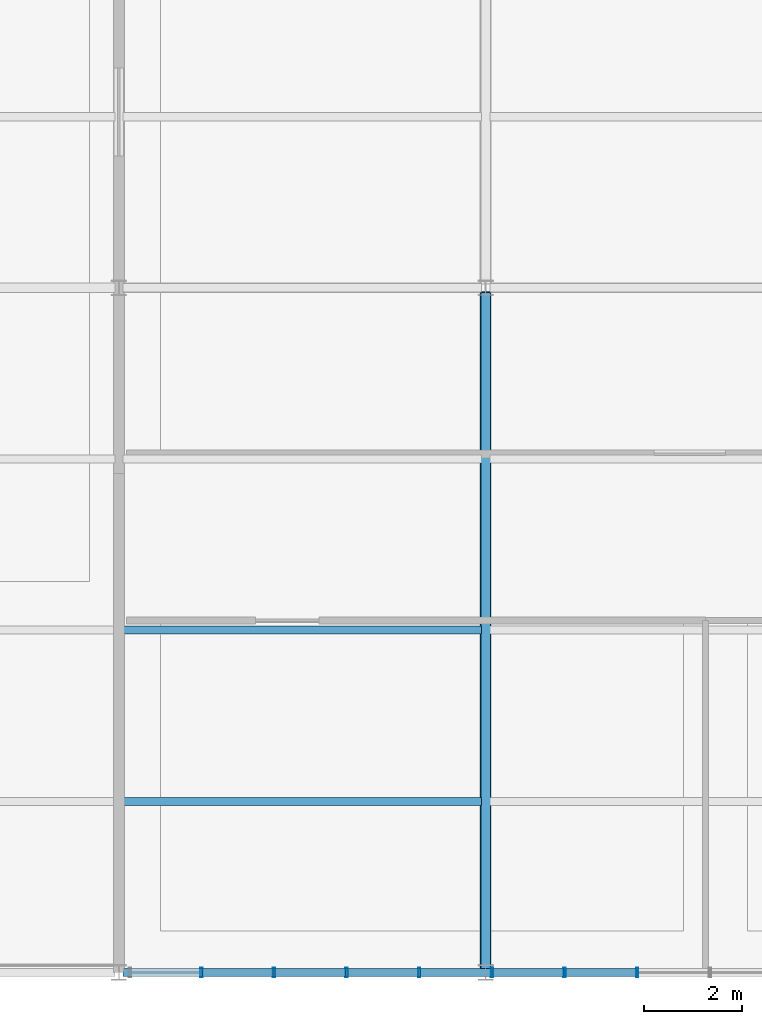
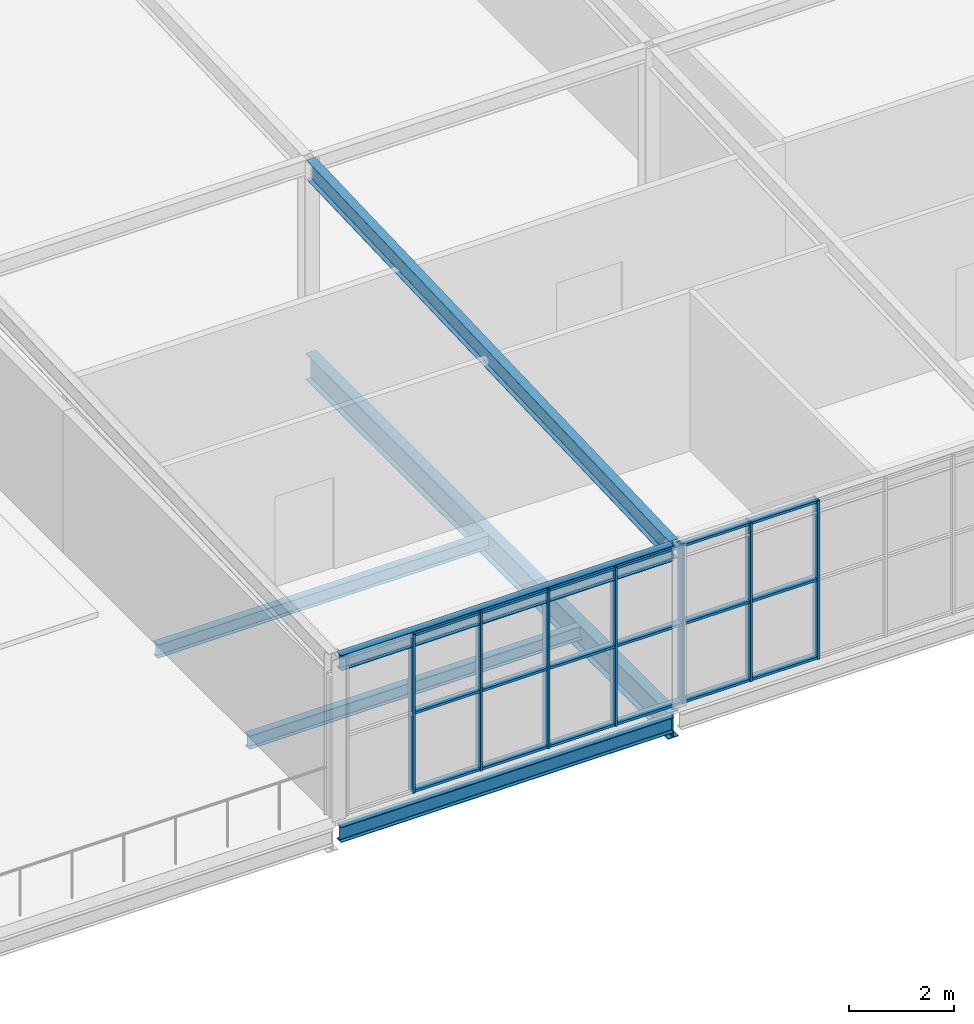
# One storey, part 6 of 27: 25 members, 6 beams, 1 element without a shape of its own.
"""IFC4 building model written with IfcOpenShell, lengths in metres."""

from ifc_helpers import new_model, si_unit, direction, frame, origin, origin_2d, place, context, subcontext, project, spatial, hollow_rectangle, i_section, extrude, material, layer, layer_set, material_profile, profile_set, type_object, element, aggregate, save


model = new_model("IFC4")

# Units and contexts
model_context = context("Model", 3, precision=1e-05, world=origin(), true_north=direction((0.0, 1.0)))
body_context = subcontext(model_context, "Body", "Model", "MODEL_VIEW")
ifc_project = project(units=[si_unit("LENGTHUNIT", "METRE"), si_unit("AREAUNIT", "SQUARE_METRE"), si_unit("VOLUMEUNIT", "CUBIC_METRE"), si_unit("PLANEANGLEUNIT", "RADIAN"), si_unit("MASSUNIT", "GRAM", prefix="KILO")], contexts=[model_context])

# Site, building, storey
site_placement = place(None, origin())
site = spatial("IfcSite", under=ifc_project, at=site_placement, CompositionType="ELEMENT")
building_placement = place(site_placement, origin())
building = spatial("IfcBuilding", under=site, at=building_placement, Name="Solvenia Promenade Tram Depot", CompositionType="ELEMENT")
storey_placement = place(building_placement, frame((0.0, 0.0, 13.5)))
storey = spatial("IfcBuildingStorey", under=building, at=storey_placement, Name="L03", CompositionType="ELEMENT", Elevation=13.5)

# Beam
ifc_material_1 = material(Name="Structural steel ASTM A992 Gr. 50", Category="steel")
ifc_material_profile_1 = material_profile(ifc_material_1, i_section(OverallWidth=0.19091796875, OverallDepth=0.4599609375, WebThickness=0.010009765625, FlangeThickness=0.01611328125, FilletRadius=0.012939453125, at=origin_2d()), Name="W460x82", Category="steel")
ifc_profile_set_1 = profile_set([ifc_material_profile_1], Name="Structural steel ASTM A992 Gr. 50")
beam_type_1 = type_object("IfcBeamType", Name="Beam-W460x82", PredefinedType="BEAM", material=ifc_profile_set_1)
beam_1_placement = place(storey_placement, frame((127.5, 38.0849609375, 3.530029296875), z_axis=(0.0, 0.999347117137, 0.036129481992), x_axis=(-1.0, 0.0, 0.0)))
element("IfcBeam", 1, at=beam_1_placement, inside=storey, type_object=beam_type_1, Name="Control Hub Sloped Rafter BM-L03-0881", PredefinedType="BEAM", context=body_context, shape_type="SweptSolid", body=[
    extrude(i_section(OverallWidth=0.19091796875, OverallDepth=0.4599609375, WebThickness=0.010009765625, FlangeThickness=0.01611328125, FilletRadius=0.012939453125, at=origin_2d()), origin(), (0.0, 0.0, 1.0), 13.839111328125),
])

# Curtain wall, members
ifc_material_2 = material(Name="Anodized aluminium AW-6063 T6", Category="aluminium")
ifc_layer = layer(ifc_material_2, 0.199951171875, Name="Anodized aluminium AW-6063 T6", Category="aluminium")
ifc_layer_set = layer_set([ifc_layer], Name="Anodized aluminium AW-6063 T6")
curtain_wall_type = type_object("IfcCurtainWallType", Name="CW-OCC-1500", PredefinedType="NOTDEFINED", material=ifc_layer_set)
curtain_wall_placement = place(storey_placement, origin())
curtain_wall = element("IfcCurtainWall", 2, at=curtain_wall_placement, inside=storey, type_object=curtain_wall_type, Name="Curtain Wall CW-L03-V2S", PredefinedType="NOTDEFINED")
ifc_material_profile_2 = material_profile(ifc_material_2, hollow_rectangle(XDim=0.199951171875, YDim=0.048095703125, WallThickness=0.00390625, at=origin_2d()), Name="ALU-M3", Category="aluminium")
ifc_profile_set_2 = profile_set([ifc_material_profile_2], Name="Anodized aluminium AW-6063 T6")
member_type_1 = type_object("IfcMemberType", Name="CWM-Mullion-3", PredefinedType="MULLION", material=ifc_profile_set_2)
member_1_placement = place(storey_placement, frame((121.685791015625, 38.0, 0.0), z_axis=(0.0, 0.0, 1.0), x_axis=(0.0, 1.0, 0.0)))
member_1 = element("IfcMember", 3, at=member_1_placement, type_object=member_type_1, Name="CW-8 mullion 2", PredefinedType="MULLION", context=body_context, shape_type="SweptSolid", body=[
    extrude(hollow_rectangle(XDim=0.199951171875, YDim=0.048095703125, WallThickness=0.00390625, at=origin_2d()), origin(), (0.0, 0.0, 1.0), 3.699951171875),
])
member_2_placement = place(storey_placement, frame((123.17138671875, 38.0, 0.0), z_axis=(0.0, 0.0, 1.0), x_axis=(0.0, 1.0, 0.0)))
member_2 = element("IfcMember", 4, at=member_2_placement, type_object=member_type_1, Name="CW-8 mullion 3", PredefinedType="MULLION", context=body_context, shape_type="SweptSolid", body=[
    extrude(hollow_rectangle(XDim=0.199951171875, YDim=0.048095703125, WallThickness=0.00390625, at=origin_2d()), origin(), (0.0, 0.0, 1.0), 3.699951171875),
])
member_3_placement = place(storey_placement, frame((124.6572265625, 38.0, 0.0), z_axis=(0.0, 0.0, 1.0), x_axis=(0.0, 1.0, 0.0)))
member_3 = element("IfcMember", 5, at=member_3_placement, type_object=member_type_1, Name="CW-8 mullion 4", PredefinedType="MULLION", context=body_context, shape_type="SweptSolid", body=[
    extrude(hollow_rectangle(XDim=0.199951171875, YDim=0.048095703125, WallThickness=0.00390625, at=origin_2d()), origin(), (0.0, 0.0, 1.0), 3.699951171875),
])
member_4_placement = place(storey_placement, frame((126.142822265625, 38.0, 0.0), z_axis=(0.0, 0.0, 1.0), x_axis=(0.0, 1.0, 0.0)))
member_4 = element("IfcMember", 6, at=member_4_placement, type_object=member_type_1, Name="CW-8 mullion 5", PredefinedType="MULLION", context=body_context, shape_type="SweptSolid", body=[
    extrude(hollow_rectangle(XDim=0.199951171875, YDim=0.048095703125, WallThickness=0.00390625, at=origin_2d()), origin(), (0.0, 0.0, 1.0), 3.699951171875),
])
member_5_placement = place(storey_placement, frame((127.628662109375, 38.0, 0.0), z_axis=(0.0, 0.0, 1.0), x_axis=(0.0, 1.0, 0.0)))
member_5 = element("IfcMember", 7, at=member_5_placement, type_object=member_type_1, Name="CW-8 mullion 6", PredefinedType="MULLION", context=body_context, shape_type="SweptSolid", body=[
    extrude(hollow_rectangle(XDim=0.199951171875, YDim=0.048095703125, WallThickness=0.00390625, at=origin_2d()), origin(), (0.0, 0.0, 1.0), 3.699951171875),
])
member_6_placement = place(storey_placement, frame((129.1142578125, 38.0, 0.0), z_axis=(0.0, 0.0, 1.0), x_axis=(0.0, 1.0, 0.0)))
member_6 = element("IfcMember", 8, at=member_6_placement, type_object=member_type_1, Name="CW-8 mullion 7", PredefinedType="MULLION", context=body_context, shape_type="SweptSolid", body=[
    extrude(hollow_rectangle(XDim=0.199951171875, YDim=0.048095703125, WallThickness=0.00390625, at=origin_2d()), origin(), (0.0, 0.0, 1.0), 3.699951171875),
])
member_7_placement = place(storey_placement, frame((130.60009765625, 38.0, 0.0), z_axis=(0.0, 0.0, 1.0), x_axis=(0.0, 1.0, 0.0)))
member_7 = element("IfcMember", 9, at=member_7_placement, type_object=member_type_1, Name="CW-8 mullion 8", PredefinedType="MULLION", context=body_context, shape_type="SweptSolid", body=[
    extrude(hollow_rectangle(XDim=0.199951171875, YDim=0.048095703125, WallThickness=0.00390625, at=origin_2d()), origin(), (0.0, 0.0, 1.0), 3.699951171875),
])
ifc_material_profile_3 = material_profile(ifc_material_2, hollow_rectangle(XDim=0.159912109375, YDim=0.05810546875, WallThickness=0.00390625, at=origin_2d()), Name="ALU-T3", Category="aluminium")
ifc_profile_set_3 = profile_set([ifc_material_profile_3], Name="Anodized aluminium AW-6063 T6")
member_type_2 = type_object("IfcMemberType", Name="CWT-Transom-3", PredefinedType="USERDEFINED", material=ifc_profile_set_3)
member_8_placement = place(storey_placement, frame((121.709716796875, 38.0, 0.029052734375), z_axis=(1.0, 0.0, 0.0), x_axis=(0.0, 1.0, 0.0)))
member_8 = element("IfcMember", 10, at=member_8_placement, type_object=member_type_2, Name="CW-8 transom 2.1", ObjectType="TRANSOM", PredefinedType="USERDEFINED", context=body_context, shape_type="SweptSolid", body=[
    extrude(hollow_rectangle(XDim=0.159912109375, YDim=0.05810546875, WallThickness=0.00390625, at=origin_2d()), origin(), (0.0, 0.0, 1.0), 1.437744140625),
])
member_9_placement = place(storey_placement, frame((121.709716796875, 38.0, 1.85009765625), z_axis=(1.0, 0.0, 0.0), x_axis=(0.0, 1.0, 0.0)))
member_9 = element("IfcMember", 11, at=member_9_placement, type_object=member_type_2, Name="CW-8 transom 2.2", ObjectType="TRANSOM", PredefinedType="USERDEFINED", context=body_context, shape_type="SweptSolid", body=[
    extrude(hollow_rectangle(XDim=0.159912109375, YDim=0.05810546875, WallThickness=0.00390625, at=origin_2d()), origin(), (0.0, 0.0, 1.0), 1.437744140625),
])
member_10_placement = place(storey_placement, frame((121.709716796875, 38.0, 3.6708984375), z_axis=(1.0, 0.0, 0.0), x_axis=(0.0, 1.0, 0.0)))
member_10 = element("IfcMember", 12, at=member_10_placement, type_object=member_type_2, Name="CW-8 transom 2.3", ObjectType="TRANSOM", PredefinedType="USERDEFINED", context=body_context, shape_type="SweptSolid", body=[
    extrude(hollow_rectangle(XDim=0.159912109375, YDim=0.05810546875, WallThickness=0.00390625, at=origin_2d()), origin(), (0.0, 0.0, 1.0), 1.437744140625),
])
member_11_placement = place(storey_placement, frame((123.1953125, 38.0, 0.029052734375), z_axis=(1.0, 0.0, 0.0), x_axis=(0.0, 1.0, 0.0)))
member_11 = element("IfcMember", 13, at=member_11_placement, type_object=member_type_2, Name="CW-8 transom 3.1", ObjectType="TRANSOM", PredefinedType="USERDEFINED", context=body_context, shape_type="SweptSolid", body=[
    extrude(hollow_rectangle(XDim=0.159912109375, YDim=0.05810546875, WallThickness=0.00390625, at=origin_2d()), origin(), (0.0, 0.0, 1.0), 1.437744140625),
])
member_12_placement = place(storey_placement, frame((123.1953125, 38.0, 1.85009765625), z_axis=(1.0, 0.0, 0.0), x_axis=(0.0, 1.0, 0.0)))
member_12 = element("IfcMember", 14, at=member_12_placement, type_object=member_type_2, Name="CW-8 transom 3.2", ObjectType="TRANSOM", PredefinedType="USERDEFINED", context=body_context, shape_type="SweptSolid", body=[
    extrude(hollow_rectangle(XDim=0.159912109375, YDim=0.05810546875, WallThickness=0.00390625, at=origin_2d()), origin(), (0.0, 0.0, 1.0), 1.437744140625),
])
member_13_placement = place(storey_placement, frame((123.1953125, 38.0, 3.6708984375), z_axis=(1.0, 0.0, 0.0), x_axis=(0.0, 1.0, 0.0)))
member_13 = element("IfcMember", 15, at=member_13_placement, type_object=member_type_2, Name="CW-8 transom 3.3", ObjectType="TRANSOM", PredefinedType="USERDEFINED", context=body_context, shape_type="SweptSolid", body=[
    extrude(hollow_rectangle(XDim=0.159912109375, YDim=0.05810546875, WallThickness=0.00390625, at=origin_2d()), origin(), (0.0, 0.0, 1.0), 1.437744140625),
])
member_14_placement = place(storey_placement, frame((124.68115234375, 38.0, 0.029052734375), z_axis=(1.0, 0.0, 0.0), x_axis=(0.0, 1.0, 0.0)))
member_14 = element("IfcMember", 16, at=member_14_placement, type_object=member_type_2, Name="CW-8 transom 4.1", ObjectType="TRANSOM", PredefinedType="USERDEFINED", context=body_context, shape_type="SweptSolid", body=[
    extrude(hollow_rectangle(XDim=0.159912109375, YDim=0.05810546875, WallThickness=0.00390625, at=origin_2d()), origin(), (0.0, 0.0, 1.0), 1.437744140625),
])
member_15_placement = place(storey_placement, frame((124.68115234375, 38.0, 1.85009765625), z_axis=(1.0, 0.0, 0.0), x_axis=(0.0, 1.0, 0.0)))
member_15 = element("IfcMember", 17, at=member_15_placement, type_object=member_type_2, Name="CW-8 transom 4.2", ObjectType="TRANSOM", PredefinedType="USERDEFINED", context=body_context, shape_type="SweptSolid", body=[
    extrude(hollow_rectangle(XDim=0.159912109375, YDim=0.05810546875, WallThickness=0.00390625, at=origin_2d()), origin(), (0.0, 0.0, 1.0), 1.437744140625),
])
member_16_placement = place(storey_placement, frame((124.68115234375, 38.0, 3.6708984375), z_axis=(1.0, 0.0, 0.0), x_axis=(0.0, 1.0, 0.0)))
member_16 = element("IfcMember", 18, at=member_16_placement, type_object=member_type_2, Name="CW-8 transom 4.3", ObjectType="TRANSOM", PredefinedType="USERDEFINED", context=body_context, shape_type="SweptSolid", body=[
    extrude(hollow_rectangle(XDim=0.159912109375, YDim=0.05810546875, WallThickness=0.00390625, at=origin_2d()), origin(), (0.0, 0.0, 1.0), 1.437744140625),
])
member_17_placement = place(storey_placement, frame((126.166748046875, 38.0, 0.029052734375), z_axis=(1.0, 0.0, 0.0), x_axis=(0.0, 1.0, 0.0)))
member_17 = element("IfcMember", 19, at=member_17_placement, type_object=member_type_2, Name="CW-8 transom 5.1", ObjectType="TRANSOM", PredefinedType="USERDEFINED", context=body_context, shape_type="SweptSolid", body=[
    extrude(hollow_rectangle(XDim=0.159912109375, YDim=0.05810546875, WallThickness=0.00390625, at=origin_2d()), origin(), (0.0, 0.0, 1.0), 1.437744140625),
])
member_18_placement = place(storey_placement, frame((126.166748046875, 38.0, 1.85009765625), z_axis=(1.0, 0.0, 0.0), x_axis=(0.0, 1.0, 0.0)))
member_18 = element("IfcMember", 20, at=member_18_placement, type_object=member_type_2, Name="CW-8 transom 5.2", ObjectType="TRANSOM", PredefinedType="USERDEFINED", context=body_context, shape_type="SweptSolid", body=[
    extrude(hollow_rectangle(XDim=0.159912109375, YDim=0.05810546875, WallThickness=0.00390625, at=origin_2d()), origin(), (0.0, 0.0, 1.0), 1.437744140625),
])
member_19_placement = place(storey_placement, frame((126.166748046875, 38.0, 3.6708984375), z_axis=(1.0, 0.0, 0.0), x_axis=(0.0, 1.0, 0.0)))
member_19 = element("IfcMember", 21, at=member_19_placement, type_object=member_type_2, Name="CW-8 transom 5.3", ObjectType="TRANSOM", PredefinedType="USERDEFINED", context=body_context, shape_type="SweptSolid", body=[
    extrude(hollow_rectangle(XDim=0.159912109375, YDim=0.05810546875, WallThickness=0.00390625, at=origin_2d()), origin(), (0.0, 0.0, 1.0), 1.437744140625),
])
member_20_placement = place(storey_placement, frame((127.652587890625, 38.0, 0.029052734375), z_axis=(1.0, 0.0, 0.0), x_axis=(0.0, 1.0, 0.0)))
member_20 = element("IfcMember", 22, at=member_20_placement, type_object=member_type_2, Name="CW-8 transom 6.1", ObjectType="TRANSOM", PredefinedType="USERDEFINED", context=body_context, shape_type="SweptSolid", body=[
    extrude(hollow_rectangle(XDim=0.159912109375, YDim=0.05810546875, WallThickness=0.00390625, at=origin_2d()), origin(), (0.0, 0.0, 1.0), 1.437744140625),
])
member_21_placement = place(storey_placement, frame((127.652587890625, 38.0, 1.85009765625), z_axis=(1.0, 0.0, 0.0), x_axis=(0.0, 1.0, 0.0)))
member_21 = element("IfcMember", 23, at=member_21_placement, type_object=member_type_2, Name="CW-8 transom 6.2", ObjectType="TRANSOM", PredefinedType="USERDEFINED", context=body_context, shape_type="SweptSolid", body=[
    extrude(hollow_rectangle(XDim=0.159912109375, YDim=0.05810546875, WallThickness=0.00390625, at=origin_2d()), origin(), (0.0, 0.0, 1.0), 1.437744140625),
])
member_22_placement = place(storey_placement, frame((127.652587890625, 38.0, 3.6708984375), z_axis=(1.0, 0.0, 0.0), x_axis=(0.0, 1.0, 0.0)))
member_22 = element("IfcMember", 24, at=member_22_placement, type_object=member_type_2, Name="CW-8 transom 6.3", ObjectType="TRANSOM", PredefinedType="USERDEFINED", context=body_context, shape_type="SweptSolid", body=[
    extrude(hollow_rectangle(XDim=0.159912109375, YDim=0.05810546875, WallThickness=0.00390625, at=origin_2d()), origin(), (0.0, 0.0, 1.0), 1.437744140625),
])
member_23_placement = place(storey_placement, frame((129.13818359375, 38.0, 0.029052734375), z_axis=(1.0, 0.0, 0.0), x_axis=(0.0, 1.0, 0.0)))
member_23 = element("IfcMember", 25, at=member_23_placement, type_object=member_type_2, Name="CW-8 transom 7.1", ObjectType="TRANSOM", PredefinedType="USERDEFINED", context=body_context, shape_type="SweptSolid", body=[
    extrude(hollow_rectangle(XDim=0.159912109375, YDim=0.05810546875, WallThickness=0.00390625, at=origin_2d()), origin(), (0.0, 0.0, 1.0), 1.437744140625),
])
member_24_placement = place(storey_placement, frame((129.13818359375, 38.0, 1.85009765625), z_axis=(1.0, 0.0, 0.0), x_axis=(0.0, 1.0, 0.0)))
member_24 = element("IfcMember", 26, at=member_24_placement, type_object=member_type_2, Name="CW-8 transom 7.2", ObjectType="TRANSOM", PredefinedType="USERDEFINED", context=body_context, shape_type="SweptSolid", body=[
    extrude(hollow_rectangle(XDim=0.159912109375, YDim=0.05810546875, WallThickness=0.00390625, at=origin_2d()), origin(), (0.0, 0.0, 1.0), 1.437744140625),
])
member_25_placement = place(storey_placement, frame((129.13818359375, 38.0, 3.6708984375), z_axis=(1.0, 0.0, 0.0), x_axis=(0.0, 1.0, 0.0)))
member_25 = element("IfcMember", 27, at=member_25_placement, type_object=member_type_2, Name="CW-8 transom 7.3", ObjectType="TRANSOM", PredefinedType="USERDEFINED", context=body_context, shape_type="SweptSolid", body=[
    extrude(hollow_rectangle(XDim=0.159912109375, YDim=0.05810546875, WallThickness=0.00390625, at=origin_2d()), origin(), (0.0, 0.0, 1.0), 1.437744140625),
])
aggregate(curtain_wall, [member_1, member_2, member_3, member_4, member_5, member_6, member_7, member_8, member_9, member_10, member_11, member_12, member_13, member_14, member_15, member_16, member_17, member_18, member_19, member_20, member_21, member_22, member_23, member_24, member_25])

# Beams
ifc_material_profile_4 = material_profile(ifc_material_1, i_section(OverallWidth=0.22900390625, OverallDepth=0.612060546875, WebThickness=0.011962890625, FlangeThickness=0.01953125, FilletRadius=0.014892578125, at=origin_2d()), Name="W610x125", Category="steel")
ifc_profile_set_4 = profile_set([ifc_material_profile_4], Name="Structural steel ASTM A992 Gr. 50")
beam_type_2 = type_object("IfcBeamType", Name="Gird-W610x125", PredefinedType="BEAM", material=ifc_profile_set_4)
beam_2_placement = place(storey_placement, frame((127.5, 38.0849609375, -0.5458984375), z_axis=(0.0, 1.0, 0.0), x_axis=(-1.0, 0.0, 0.0)))
element("IfcBeam", 28, at=beam_2_placement, inside=storey, type_object=beam_type_2, Name="Transverse Girder BM-L03-0612", PredefinedType="BEAM", context=body_context, shape_type="SweptSolid", body=[
    extrude(i_section(OverallWidth=0.22900390625, OverallDepth=0.612060546875, WebThickness=0.011962890625, FlangeThickness=0.01953125, FilletRadius=0.014892578125, at=origin_2d()), origin(), (0.0, 0.0, 1.0), 13.830078125),
])
ifc_material_profile_5 = material_profile(ifc_material_1, i_section(OverallWidth=0.166015625, OverallDepth=0.31298828125, WebThickness=0.006591796875, FlangeThickness=0.01123046875, FilletRadius=0.010009765625, at=origin_2d()), Name="W310x45", Category="steel")
ifc_profile_set_5 = profile_set([ifc_material_profile_5], Name="Structural steel ASTM A992 Gr. 50")
beam_type_3 = type_object("IfcBeamType", Name="Joist-W310x45", PredefinedType="JOIST", material=ifc_profile_set_5)
for number, where, z_axis, x_axis, name in (
    (29, (120.0849609375, 41.5, -0.396484375), (1.0, 0.0, 0.0), (0.0, 1.0, 0.0), "Secondary Floor Joist BM-L03-0622"),
    (30, (120.0849609375, 45.0, -0.396484375), (1.0, 0.0, 0.0), (0.0, 1.0, 0.0), "Secondary Floor Joist BM-L03-0623"),
):
    element("IfcBeam", number, at=place(storey_placement, frame(where, z_axis=z_axis, x_axis=x_axis)), inside=storey, type_object=beam_type_3, Name=name, PredefinedType="JOIST", context=body_context, shape_type="SweptSolid", body=[
        extrude(i_section(OverallWidth=0.166015625, OverallDepth=0.31298828125, WebThickness=0.006591796875, FlangeThickness=0.01123046875, FilletRadius=0.010009765625, at=origin_2d()), origin(), (0.0, 0.0, 1.0), 7.330078125),
    ])
ifc_material_profile_6 = material_profile(ifc_material_1, i_section(OverallWidth=0.172119140625, OverallDepth=0.35791015625, WebThickness=0.0078125, FlangeThickness=0.01318359375, FilletRadius=0.010986328125, at=origin_2d()), Name="W360x57", Category="steel")
ifc_profile_set_6 = profile_set([ifc_material_profile_6], Name="Structural steel ASTM A992 Gr. 50")
beam_type_4 = type_object("IfcBeamType", Name="Spandrel-W360x57", PredefinedType="SPANDREL", material=ifc_profile_set_6)
for number, where, z_axis, x_axis, name in (
    (31, (120.0849609375, 38.0, -0.4189453125), (1.0, 0.0, 0.0), (0.0, 1.0, 0.0), "Perimeter Spandrel BM-L03-0595"),
    (32, (120.0849609375, 38.0, 3.5810546875), (1.0, 0.0, 0.0), (0.0, 1.0, 0.0), "Control Hub Roof Girder BM-L03-0891"),
):
    element("IfcBeam", number, at=place(storey_placement, frame(where, z_axis=z_axis, x_axis=x_axis)), inside=storey, type_object=beam_type_4, Name=name, PredefinedType="SPANDREL", context=body_context, shape_type="SweptSolid", body=[
        extrude(i_section(OverallWidth=0.172119140625, OverallDepth=0.35791015625, WebThickness=0.0078125, FlangeThickness=0.01318359375, FilletRadius=0.010986328125, at=origin_2d()), origin(), (0.0, 0.0, 1.0), 7.330078125),
    ])

save(model, "model.ifc")
